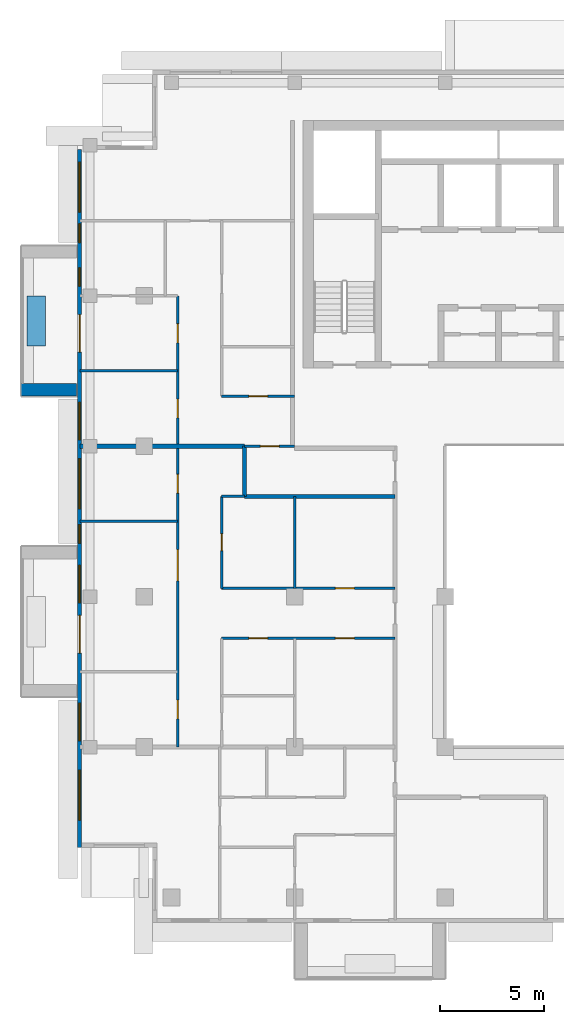
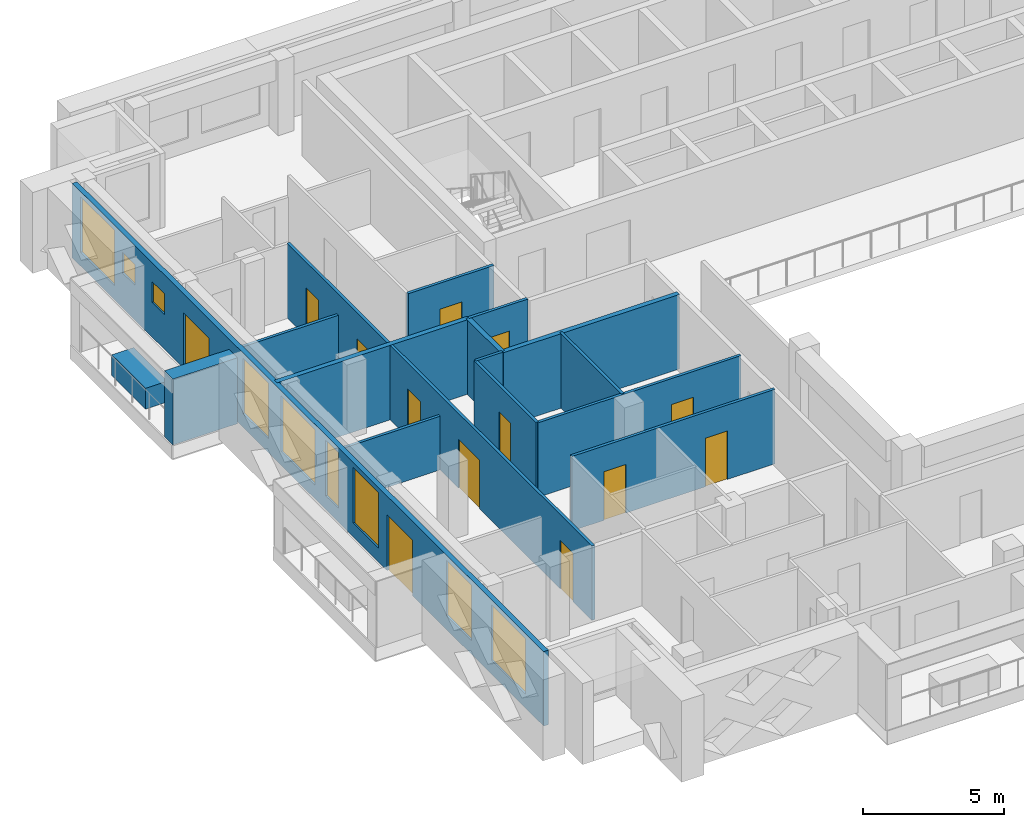
# One storey, part 7 of 19: 16 walls, 13 doors, 9 windows, 22 openings.
"""IFC4 building model written with IfcOpenShell, lengths in metres."""

from ifc_helpers import new_model, si_unit, direction, frame, frame_2d, origin, place, context, subcontext, project, spatial, rectangle, extrude, material, layer, layer_set, type_object, element, fill, save


model = new_model("IFC4")

# Units and contexts
model_context = context("Model", 3, precision=1e-05, world=origin(), true_north=direction((0.0, 1.0)))
body_context = subcontext(model_context, "Body", "Model", "MODEL_VIEW")
ifc_project = project(units=[si_unit("LENGTHUNIT", "METRE"), si_unit("AREAUNIT", "SQUARE_METRE"), si_unit("VOLUMEUNIT", "CUBIC_METRE"), si_unit("PLANEANGLEUNIT", "RADIAN"), si_unit("MASSUNIT", "GRAM", prefix="KILO")], contexts=[model_context])

# Site, building, storey
site_placement = place(None, origin())
site = spatial("IfcSite", under=ifc_project, at=site_placement, CompositionType="ELEMENT")
building_placement = place(site_placement, origin())
building = spatial("IfcBuilding", under=site, at=building_placement, Name="Saffron Iwan Residences", CompositionType="ELEMENT")
storey_placement = place(building_placement, frame((0.0, 0.0, 243.0)))
storey = spatial("IfcBuildingStorey", under=building, at=storey_placement, Name="L65", CompositionType="ELEMENT", Elevation=243.0)

# Walls
ifc_material_1 = material(Name="Concrete C50/60 white painted", Category="concrete")
ifc_layer_1 = layer(ifc_material_1, 0.60009765625)
ifc_layer_set_1 = layer_set([ifc_layer_1], Name="Concrete C50/60 white painted")
wall_type_1 = type_object("IfcWallType", Name="BALCONY FIN 600", PredefinedType="SOLIDWALL", material=ifc_layer_set_1)
wall_1_placement = place(storey_placement, frame((18.35009765625, 65.10009765625, 0.0), z_axis=(0.0, 0.0, 1.0), x_axis=(-1.0, 0.0, 0.0)))
element("IfcWall", 1, at=wall_1_placement, inside=storey, type_object=wall_type_1, Name="Balcony fin L65 F8-0b", PredefinedType="SOLIDWALL", context=body_context, shape_type="SweptSolid", body=[
    extrude(rectangle(XDim=2.650146484375, YDim=0.60009765625, at=frame_2d((1.3251953125, 0.0))), origin(), (0.0, 0.0, 1.0), 2.85009765625),
])
ifc_material_2 = material(Name="Concrete C35/45 white painted", Category="concrete")
ifc_layer_2 = layer(ifc_material_2, 0.14990234375)
ifc_layer_set_2 = layer_set([ifc_layer_2], Name="Concrete C35/45 white painted")
wall_type_2 = type_object("IfcWallType", Name="BALCONY PLANTER", PredefinedType="SOLIDWALL", material=ifc_layer_set_2)
wall_2_placement = place(storey_placement, frame((16.425048828125, 69.60009765625, 0.0), z_axis=(0.0, 0.0, 1.0), x_axis=(0.0, -1.0, 0.0)))
element("IfcWall", 2, at=wall_2_placement, inside=storey, type_object=wall_type_2, Name="PLANTER L65 F8-0", PredefinedType="SOLIDWALL", context=body_context, shape_type="SweptSolid", body=[
    extrude(rectangle(XDim=2.400146484375, YDim=0.89990234375, at=frame_2d((1.2001953125, 0.0))), origin(), (0.0, 0.0, 1.0), 0.89990234375),
])

# Wall, openings, doors, windows
ifc_material_3 = material(Name="Concrete C40/50", Category="concrete")
ifc_layer_3 = layer(ifc_material_3, 0.199951171875)
ifc_layer_set_3 = layer_set([ifc_layer_3], Name="Concrete C40/50")
wall_type_3 = type_object("IfcWallType", Name="EXTERNAL WALL 200", PredefinedType="SOLIDWALL", material=ifc_layer_set_3)
wall_3_placement = place(storey_placement, frame((18.5, 76.60009765625, 0.0), z_axis=(0.0, 0.0, 1.0), x_axis=(0.0, -1.0, 0.0)))
wall_3 = element("IfcWall", 3, at=wall_3_placement, inside=storey, type_object=wall_type_3, Name="External wall L65 F8.0", PredefinedType="SOLIDWALL", context=body_context, shape_type="SweptSolid", body=[
    extrude(rectangle(XDim=33.400146484375, YDim=0.199951171875, at=frame_2d((16.7001953125, 0.0))), origin(), (0.0, 0.0, 1.0), 3.219970703125),
])
opening_1_placement = place(wall_3_placement, frame((7.89990234375, 0.0, 0.0)))
opening_1 = element("IfcOpeningElement", 4, at=opening_1_placement, cuts=wall_3, Name="Opening BD1", PredefinedType="OPENING", context=body_context, shape_type="SweptSolid", body=[
    extrude(rectangle(XDim=1.800048828125, YDim=2.39990234375, at=frame_2d((0.89990234375, 1.199951171875))), frame((0.0, 0.10986328125, 0.0), z_axis=(0.0, -1.0, 0.0), x_axis=(1.0, 0.0, 0.0)), (0.0, 0.0, 1.0), 0.219970703125),
])
opening_2_placement = place(wall_3_placement, frame((22.300048828125, 0.0, 0.0)))
opening_2 = element("IfcOpeningElement", 5, at=opening_2_placement, cuts=wall_3, Name="Opening BD1", PredefinedType="OPENING", context=body_context, shape_type="SweptSolid", body=[
    extrude(rectangle(XDim=1.800048828125, YDim=2.39990234375, at=frame_2d((0.89990234375, 1.199951171875))), frame((0.0, 0.10986328125, 0.0), z_axis=(0.0, -1.0, 0.0), x_axis=(1.0, 0.0, 0.0)), (0.0, 0.0, 1.0), 0.219970703125),
])
opening_3_placement = place(wall_3_placement, frame((29.699951171875, 0.0, 0.60009765625)))
opening_3 = element("IfcOpeningElement", 6, at=opening_3_placement, cuts=wall_3, Name="Opening W1", PredefinedType="OPENING", context=body_context, shape_type="SweptSolid", body=[
    extrude(rectangle(XDim=2.39990234375, YDim=2.39990234375, at=frame_2d((1.199951171875, 1.199951171875))), frame((0.0, 0.10986328125, 0.0), z_axis=(0.0, -1.0, 0.0), x_axis=(1.0, 0.0, 0.0)), (0.0, 0.0, 1.0), 0.219970703125),
])
opening_4_placement = place(wall_3_placement, frame((26.5, 0.0, 0.60009765625)))
opening_4 = element("IfcOpeningElement", 7, at=opening_4_placement, cuts=wall_3, Name="Opening W8", PredefinedType="OPENING", context=body_context, shape_type="SweptSolid", body=[
    extrude(rectangle(XDim=1.800048828125, YDim=2.39990234375, at=frame_2d((0.89990234375, 1.199951171875))), frame((0.0, 0.10986328125, 0.0), z_axis=(0.0, -1.0, 0.0), x_axis=(1.0, 0.0, 0.0)), (0.0, 0.0, 1.0), 0.219970703125),
])
opening_5_placement = place(wall_3_placement, frame((17.949951171875, 0.0, 0.60009765625)))
opening_5 = element("IfcOpeningElement", 8, at=opening_5_placement, cuts=wall_3, Name="Opening W10", PredefinedType="OPENING", context=body_context, shape_type="SweptSolid", body=[
    extrude(rectangle(XDim=0.89990234375, YDim=2.39990234375, at=frame_2d((0.449951171875, 1.199951171875))), frame((0.0, 0.10986328125, 0.0), z_axis=(0.0, -1.0, 0.0), x_axis=(1.0, 0.0, 0.0)), (0.0, 0.0, 1.0), 0.219970703125),
])
opening_6_placement = place(wall_3_placement, frame((19.89990234375, 0.0, 0.60009765625)))
opening_6 = element("IfcOpeningElement", 9, at=opening_6_placement, cuts=wall_3, Name="Opening W8", PredefinedType="OPENING", context=body_context, shape_type="SweptSolid", body=[
    extrude(rectangle(XDim=1.800048828125, YDim=2.39990234375, at=frame_2d((0.89990234375, 1.199951171875))), frame((0.0, 0.10986328125, 0.0), z_axis=(0.0, -1.0, 0.0), x_axis=(1.0, 0.0, 0.0)), (0.0, 0.0, 1.0), 0.219970703125),
])
opening_7_placement = place(wall_3_placement, frame((14.800048828125, 0.0, 0.60009765625)))
opening_7 = element("IfcOpeningElement", 10, at=opening_7_placement, cuts=wall_3, Name="Opening W1", PredefinedType="OPENING", context=body_context, shape_type="SweptSolid", body=[
    extrude(rectangle(XDim=2.39990234375, YDim=2.39990234375, at=frame_2d((1.199951171875, 1.199951171875))), frame((0.0, 0.10986328125, 0.0), z_axis=(0.0, -1.0, 0.0), x_axis=(1.0, 0.0, 0.0)), (0.0, 0.0, 1.0), 0.219970703125),
])
opening_8_placement = place(wall_3_placement, frame((12.10009765625, 0.0, 0.60009765625)))
opening_8 = element("IfcOpeningElement", 11, at=opening_8_placement, cuts=wall_3, Name="Opening W8", PredefinedType="OPENING", context=body_context, shape_type="SweptSolid", body=[
    extrude(rectangle(XDim=1.800048828125, YDim=2.39990234375, at=frame_2d((0.89990234375, 1.199951171875))), frame((0.0, 0.10986328125, 0.0), z_axis=(0.0, -1.0, 0.0), x_axis=(1.0, 0.0, 0.0)), (0.0, 0.0, 1.0), 0.219970703125),
])
opening_9_placement = place(wall_3_placement, frame((3.550048828125, 0.0, 1.5)))
opening_9 = element("IfcOpeningElement", 12, at=opening_9_placement, cuts=wall_3, Name="Opening W6", PredefinedType="OPENING", context=body_context, shape_type="SweptSolid", body=[
    extrude(rectangle(XDim=0.89990234375, YDim=0.89990234375, at=frame_2d((0.449951171875, 0.449951171875))), frame((0.0, 0.10986328125, 0.0), z_axis=(0.0, -1.0, 0.0), x_axis=(1.0, 0.0, 0.0)), (0.0, 0.0, 1.0), 0.219970703125),
])
opening_10_placement = place(wall_3_placement, frame((5.64990234375, 0.0, 1.5)))
opening_10 = element("IfcOpeningElement", 13, at=opening_10_placement, cuts=wall_3, Name="Opening W6", PredefinedType="OPENING", context=body_context, shape_type="SweptSolid", body=[
    extrude(rectangle(XDim=0.89990234375, YDim=0.89990234375, at=frame_2d((0.449951171875, 0.449951171875))), frame((0.0, 0.10986328125, 0.0), z_axis=(0.0, -1.0, 0.0), x_axis=(1.0, 0.0, 0.0)), (0.0, 0.0, 1.0), 0.219970703125),
])
opening_11_placement = place(wall_3_placement, frame((0.60009765625, 0.0, 0.60009765625)))
opening_11 = element("IfcOpeningElement", 14, at=opening_11_placement, cuts=wall_3, Name="Opening W1", PredefinedType="OPENING", context=body_context, shape_type="SweptSolid", body=[
    extrude(rectangle(XDim=2.39990234375, YDim=2.39990234375, at=frame_2d((1.199951171875, 1.199951171875))), frame((0.0, 0.10986328125, 0.0), z_axis=(0.0, -1.0, 0.0), x_axis=(1.0, 0.0, 0.0)), (0.0, 0.0, 1.0), 0.219970703125),
])
ifc_material_4 = material(Name="Clear glass, laminated double glazed", Category="glass")
door_type_1 = type_object("IfcDoorType", Name="BALCONY DOOR 1800 x 2400", OperationType="DOUBLE_DOOR_SLIDING", PredefinedType="DOOR", material=ifc_material_4)
door_1_placement = place(opening_1_placement, origin())
door_1 = element("IfcDoor", 15, at=door_1_placement, inside=storey, type_object=door_type_1, Name="Balcony door L65 F8.0", OperationType="DOUBLE_DOOR_SLIDING", OverallHeight=2.39990234375, OverallWidth=1.800048828125, PredefinedType="DOOR", context=body_context, shape_type="SweptSolid", body=[
    extrude(rectangle(XDim=1.800048828125, YDim=2.39990234375, at=frame_2d((0.89990234375, 1.199951171875))), frame((0.0, 0.02490234375, 0.0), z_axis=(0.0, -1.0, 0.0), x_axis=(1.0, 0.0, 0.0)), (0.0, 0.0, 1.0), 0.050048828125),
])
fill(opening_1, door_1)
door_2_placement = place(opening_2_placement, origin())
door_2 = element("IfcDoor", 16, at=door_2_placement, inside=storey, type_object=door_type_1, Name="Balcony door L65 F8.1", OperationType="DOUBLE_DOOR_SLIDING", OverallHeight=2.39990234375, OverallWidth=1.800048828125, PredefinedType="DOOR", context=body_context, shape_type="SweptSolid", body=[
    extrude(rectangle(XDim=1.800048828125, YDim=2.39990234375, at=frame_2d((0.89990234375, 1.199951171875))), frame((0.0, 0.02490234375, 0.0), z_axis=(0.0, -1.0, 0.0), x_axis=(1.0, 0.0, 0.0)), (0.0, 0.0, 1.0), 0.050048828125),
])
fill(opening_2, door_2)
window_type_1 = type_object("IfcWindowType", Name="WINDOW 1800 x 2400", PartitioningType="DOUBLE_PANEL_VERTICAL", PredefinedType="WINDOW", material=ifc_material_4)
window_1_placement = place(opening_4_placement, origin())
window_1 = element("IfcWindow", 17, at=window_1_placement, inside=storey, type_object=window_type_1, Name="Window L65 F8.3", OverallHeight=2.39990234375, OverallWidth=1.800048828125, PartitioningType="DOUBLE_PANEL_VERTICAL", PredefinedType="WINDOW", context=body_context, shape_type="SweptSolid", body=[
    extrude(rectangle(XDim=1.800048828125, YDim=2.39990234375, at=frame_2d((0.89990234375, 1.199951171875))), frame((0.0, 0.030029296875, 0.0), z_axis=(0.0, -1.0, 0.0), x_axis=(1.0, 0.0, 0.0)), (0.0, 0.0, 1.0), 0.06005859375),
])
fill(opening_4, window_1)
window_2_placement = place(opening_6_placement, origin())
window_2 = element("IfcWindow", 18, at=window_2_placement, inside=storey, type_object=window_type_1, Name="Window L65 F8.5", OverallHeight=2.39990234375, OverallWidth=1.800048828125, PartitioningType="DOUBLE_PANEL_VERTICAL", PredefinedType="WINDOW", context=body_context, shape_type="SweptSolid", body=[
    extrude(rectangle(XDim=1.800048828125, YDim=2.39990234375, at=frame_2d((0.89990234375, 1.199951171875))), frame((0.0, 0.030029296875, 0.0), z_axis=(0.0, -1.0, 0.0), x_axis=(1.0, 0.0, 0.0)), (0.0, 0.0, 1.0), 0.06005859375),
])
fill(opening_6, window_2)
window_3_placement = place(opening_8_placement, origin())
window_3 = element("IfcWindow", 19, at=window_3_placement, inside=storey, type_object=window_type_1, Name="Window L65 F8.7", OverallHeight=2.39990234375, OverallWidth=1.800048828125, PartitioningType="DOUBLE_PANEL_VERTICAL", PredefinedType="WINDOW", context=body_context, shape_type="SweptSolid", body=[
    extrude(rectangle(XDim=1.800048828125, YDim=2.39990234375, at=frame_2d((0.89990234375, 1.199951171875))), frame((0.0, 0.030029296875, 0.0), z_axis=(0.0, -1.0, 0.0), x_axis=(1.0, 0.0, 0.0)), (0.0, 0.0, 1.0), 0.06005859375),
])
fill(opening_8, window_3)
window_type_2 = type_object("IfcWindowType", Name="WINDOW 2400 x 2400", PartitioningType="DOUBLE_PANEL_VERTICAL", PredefinedType="WINDOW", material=ifc_material_4)
window_4_placement = place(opening_3_placement, origin())
window_4 = element("IfcWindow", 20, at=window_4_placement, inside=storey, type_object=window_type_2, Name="Window L65 F8.2", OverallHeight=2.39990234375, OverallWidth=2.39990234375, PartitioningType="DOUBLE_PANEL_VERTICAL", PredefinedType="WINDOW", context=body_context, shape_type="SweptSolid", body=[
    extrude(rectangle(XDim=2.39990234375, YDim=2.39990234375, at=frame_2d((1.199951171875, 1.199951171875))), frame((0.0, 0.030029296875, 0.0), z_axis=(0.0, -1.0, 0.0), x_axis=(1.0, 0.0, 0.0)), (0.0, 0.0, 1.0), 0.06005859375),
])
fill(opening_3, window_4)
window_5_placement = place(opening_7_placement, origin())
window_5 = element("IfcWindow", 21, at=window_5_placement, inside=storey, type_object=window_type_2, Name="Window L65 F8.6", OverallHeight=2.39990234375, OverallWidth=2.39990234375, PartitioningType="DOUBLE_PANEL_VERTICAL", PredefinedType="WINDOW", context=body_context, shape_type="SweptSolid", body=[
    extrude(rectangle(XDim=2.39990234375, YDim=2.39990234375, at=frame_2d((1.199951171875, 1.199951171875))), frame((0.0, 0.030029296875, 0.0), z_axis=(0.0, -1.0, 0.0), x_axis=(1.0, 0.0, 0.0)), (0.0, 0.0, 1.0), 0.06005859375),
])
fill(opening_7, window_5)
window_6_placement = place(opening_11_placement, origin())
window_6 = element("IfcWindow", 22, at=window_6_placement, inside=storey, type_object=window_type_2, Name="Window L65 F8.10", OverallHeight=2.39990234375, OverallWidth=2.39990234375, PartitioningType="DOUBLE_PANEL_VERTICAL", PredefinedType="WINDOW", context=body_context, shape_type="SweptSolid", body=[
    extrude(rectangle(XDim=2.39990234375, YDim=2.39990234375, at=frame_2d((1.199951171875, 1.199951171875))), frame((0.0, 0.030029296875, 0.0), z_axis=(0.0, -1.0, 0.0), x_axis=(1.0, 0.0, 0.0)), (0.0, 0.0, 1.0), 0.06005859375),
])
fill(opening_11, window_6)
window_type_3 = type_object("IfcWindowType", Name="WINDOW 900 x 2400", PartitioningType="SINGLE_PANEL", PredefinedType="WINDOW", material=ifc_material_4)
window_7_placement = place(opening_5_placement, origin())
window_7 = element("IfcWindow", 23, at=window_7_placement, inside=storey, type_object=window_type_3, Name="Window L65 F8.4", OverallHeight=2.39990234375, OverallWidth=0.89990234375, PartitioningType="SINGLE_PANEL", PredefinedType="WINDOW", context=body_context, shape_type="SweptSolid", body=[
    extrude(rectangle(XDim=0.89990234375, YDim=2.39990234375, at=frame_2d((0.449951171875, 1.199951171875))), frame((0.0, 0.030029296875, 0.0), z_axis=(0.0, -1.0, 0.0), x_axis=(1.0, 0.0, 0.0)), (0.0, 0.0, 1.0), 0.06005859375),
])
fill(opening_5, window_7)
window_type_4 = type_object("IfcWindowType", Name="WINDOW 900 x 900 BATH", PartitioningType="SINGLE_PANEL", PredefinedType="WINDOW", material=ifc_material_4)
window_8_placement = place(opening_9_placement, origin())
window_8 = element("IfcWindow", 24, at=window_8_placement, inside=storey, type_object=window_type_4, Name="Window L65 F8.8", OverallHeight=0.89990234375, OverallWidth=0.89990234375, PartitioningType="SINGLE_PANEL", PredefinedType="WINDOW", context=body_context, shape_type="SweptSolid", body=[
    extrude(rectangle(XDim=0.89990234375, YDim=0.89990234375, at=frame_2d((0.449951171875, 0.449951171875))), frame((0.0, 0.030029296875, 0.0), z_axis=(0.0, -1.0, 0.0), x_axis=(1.0, 0.0, 0.0)), (0.0, 0.0, 1.0), 0.06005859375),
])
fill(opening_9, window_8)
window_9_placement = place(opening_10_placement, origin())
window_9 = element("IfcWindow", 25, at=window_9_placement, inside=storey, type_object=window_type_4, Name="Window L65 F8.9", OverallHeight=0.89990234375, OverallWidth=0.89990234375, PartitioningType="SINGLE_PANEL", PredefinedType="WINDOW", context=body_context, shape_type="SweptSolid", body=[
    extrude(rectangle(XDim=0.89990234375, YDim=0.89990234375, at=frame_2d((0.449951171875, 0.449951171875))), frame((0.0, 0.030029296875, 0.0), z_axis=(0.0, -1.0, 0.0), x_axis=(1.0, 0.0, 0.0)), (0.0, 0.0, 1.0), 0.06005859375),
])
fill(opening_10, window_9)

# Walls
ifc_material_5 = material(Name="Fire-rated gypsum board wall")
ifc_layer_4 = layer(ifc_material_5, 0.199951171875)
ifc_layer_set_4 = layer_set([ifc_layer_4], Name="Fire-rated gypsum board wall")
wall_type_4 = type_object("IfcWallType", Name="Flat demising wall 200", PredefinedType="SOLIDWALL", material=ifc_layer_set_4)
wall_4_placement = place(storey_placement, frame((26.39990234375, 60.0, 0.0), z_axis=(0.0, 0.0, 1.0), x_axis=(1.0, 0.0, 0.0)))
element("IfcWall", 26, at=wall_4_placement, inside=storey, type_object=wall_type_4, Name="W-L65-DEMISE-h60-26.4", PredefinedType="SOLIDWALL", context=body_context, shape_type="SweptSolid", body=[
    extrude(rectangle(XDim=7.2001953125, YDim=0.199951171875, at=frame_2d((3.60009765625, 0.0))), origin(), (0.0, 0.0, 1.0), 3.219970703125),
])
wall_5_placement = place(storey_placement, frame((18.52490234375, 62.39990234375, 0.0), z_axis=(0.0, 0.0, 1.0), x_axis=(1.0, 0.0, 0.0)))
element("IfcWall", 27, at=wall_5_placement, inside=storey, type_object=wall_type_4, Name="W-L65-DEMISE-h62.4-18.525", PredefinedType="SOLIDWALL", context=body_context, shape_type="SweptSolid", body=[
    extrude(rectangle(XDim=7.875, YDim=0.199951171875, at=frame_2d((3.9375, 0.0))), origin(), (0.0, 0.0, 1.0), 3.219970703125),
])
wall_6_placement = place(storey_placement, frame((26.39990234375, 60.0, 0.0), z_axis=(0.0, 0.0, 1.0), x_axis=(0.0, 1.0, 0.0)))
element("IfcWall", 28, at=wall_6_placement, inside=storey, type_object=wall_type_4, Name="W-L65-DEMISE-v26.4-60", PredefinedType="SOLIDWALL", context=body_context, shape_type="SweptSolid", body=[
    extrude(rectangle(XDim=2.39990234375, YDim=0.199951171875, at=frame_2d((1.199951171875, 0.0))), origin(), (0.0, 0.0, 1.0), 3.219970703125),
])

# Wall, openings, doors
ifc_material_6 = material(Name="Gypsum board partition")
ifc_layer_5 = layer(ifc_material_6, 0.1201171875)
ifc_layer_set_5 = layer_set([ifc_layer_5], Name="Gypsum board partition")
wall_type_5 = type_object("IfcWallType", Name="Flat partition 120", PredefinedType="PARTITIONING", material=ifc_layer_set_5)
wall_7_placement = place(storey_placement, frame((25.300048828125, 53.199951171875, 0.0), z_axis=(0.0, 0.0, 1.0), x_axis=(1.0, 0.0, 0.0)))
wall_7 = element("IfcWall", 29, at=wall_7_placement, inside=storey, type_object=wall_type_5, Name="W-L65-PART-h53.2-25.3", PredefinedType="PARTITIONING", context=body_context, shape_type="SweptSolid", body=[
    extrude(rectangle(XDim=8.300048828125, YDim=0.1201171875, at=frame_2d((4.14990234375, 0.0))), origin(), (0.0, 0.0, 1.0), 3.219970703125),
])
opening_12_placement = place(wall_7_placement, frame((1.300048828125, 0.0, 0.0)))
opening_12 = element("IfcOpeningElement", 30, at=opening_12_placement, cuts=wall_7, Name="Opening FD2", PredefinedType="OPENING", context=body_context, shape_type="SweptSolid", body=[
    extrude(rectangle(XDim=0.89990234375, YDim=2.10009765625, at=frame_2d((0.449951171875, 1.050048828125))), frame((0.0, 0.070068359375, 0.0), z_axis=(0.0, -1.0, 0.0), x_axis=(1.0, 0.0, 0.0)), (0.0, 0.0, 1.0), 0.14013671875),
])
opening_13_placement = place(wall_7_placement, frame((5.449951171875, 0.0, 0.0)))
opening_13 = element("IfcOpeningElement", 31, at=opening_13_placement, cuts=wall_7, Name="Opening FD2", PredefinedType="OPENING", context=body_context, shape_type="SweptSolid", body=[
    extrude(rectangle(XDim=0.89990234375, YDim=2.10009765625, at=frame_2d((0.449951171875, 1.050048828125))), frame((0.0, 0.070068359375, 0.0), z_axis=(0.0, -1.0, 0.0), x_axis=(1.0, 0.0, 0.0)), (0.0, 0.0, 1.0), 0.14013671875),
])
ifc_material_7 = material(Name="Timber door", Category="wood")
door_type_2 = type_object("IfcDoorType", Name="Flat door 900", OperationType="NOTDEFINED", PredefinedType="DOOR", material=ifc_material_7)
door_3_placement = place(opening_12_placement, origin())
door_3 = element("IfcDoor", 32, at=door_3_placement, inside=storey, type_object=door_type_2, Name="Door L65-013", OperationType="SINGLE_SWING_LEFT", OverallHeight=2.10009765625, OverallWidth=0.89990234375, PredefinedType="DOOR", context=body_context, shape_type="SweptSolid", body=[
    extrude(rectangle(XDim=0.89990234375, YDim=2.10009765625, at=frame_2d((0.449951171875, 1.050048828125))), frame((0.0, 0.02490234375, 0.0), z_axis=(0.0, -1.0, 0.0), x_axis=(1.0, 0.0, 0.0)), (0.0, 0.0, 1.0), 0.050048828125),
])
fill(opening_12, door_3)
door_4_placement = place(opening_13_placement, origin())
door_4 = element("IfcDoor", 33, at=door_4_placement, inside=storey, type_object=door_type_2, Name="Door L65-015", OperationType="SINGLE_SWING_LEFT", OverallHeight=2.10009765625, OverallWidth=0.89990234375, PredefinedType="DOOR", context=body_context, shape_type="SweptSolid", body=[
    extrude(rectangle(XDim=0.89990234375, YDim=2.10009765625, at=frame_2d((0.449951171875, 1.050048828125))), frame((0.0, 0.02490234375, 0.0), z_axis=(0.0, -1.0, 0.0), x_axis=(1.0, 0.0, 0.0)), (0.0, 0.0, 1.0), 0.050048828125),
])
fill(opening_13, door_4)

# Wall, opening, door
wall_8_placement = place(storey_placement, frame((25.300048828125, 55.60009765625, 0.0), z_axis=(0.0, 0.0, 1.0), x_axis=(1.0, 0.0, 0.0)))
wall_8 = element("IfcWall", 34, at=wall_8_placement, inside=storey, type_object=wall_type_5, Name="W-L65-PART-h55.6-25.3", PredefinedType="PARTITIONING", context=body_context, shape_type="SweptSolid", body=[
    extrude(rectangle(XDim=8.300048828125, YDim=0.1201171875, at=frame_2d((4.14990234375, 0.0))), origin(), (0.0, 0.0, 1.0), 3.219970703125),
])
opening_14_placement = place(wall_8_placement, frame((5.449951171875, 0.0, 0.0)))
opening_14 = element("IfcOpeningElement", 35, at=opening_14_placement, cuts=wall_8, Name="Opening FD2", PredefinedType="OPENING", context=body_context, shape_type="SweptSolid", body=[
    extrude(rectangle(XDim=0.89990234375, YDim=2.10009765625, at=frame_2d((0.449951171875, 1.050048828125))), frame((0.0, 0.070068359375, 0.0), z_axis=(0.0, -1.0, 0.0), x_axis=(1.0, 0.0, 0.0)), (0.0, 0.0, 1.0), 0.14013671875),
])
door_5_placement = place(opening_14_placement, origin())
door_5 = element("IfcDoor", 36, at=door_5_placement, inside=storey, type_object=door_type_2, Name="Door L65-016", OperationType="SINGLE_SWING_LEFT", OverallHeight=2.10009765625, OverallWidth=0.89990234375, PredefinedType="DOOR", context=body_context, shape_type="SweptSolid", body=[
    extrude(rectangle(XDim=0.89990234375, YDim=2.10009765625, at=frame_2d((0.449951171875, 1.050048828125))), frame((0.0, 0.02490234375, 0.0), z_axis=(0.0, -1.0, 0.0), x_axis=(1.0, 0.0, 0.0)), (0.0, 0.0, 1.0), 0.050048828125),
])
fill(opening_14, door_5)

# Walls
wall_9_placement = place(storey_placement, frame((18.52490234375, 58.800048828125, 0.0), z_axis=(0.0, 0.0, 1.0), x_axis=(1.0, 0.0, 0.0)))
element("IfcWall", 37, at=wall_9_placement, inside=storey, type_object=wall_type_5, Name="W-L65-PART-h58.8-18.525", PredefinedType="PARTITIONING", context=body_context, shape_type="SweptSolid", body=[
    extrude(rectangle(XDim=4.675048828125, YDim=0.1201171875, at=frame_2d((2.33740234375, 0.0))), origin(), (0.0, 0.0, 1.0), 2.320068359375),
])
wall_10_placement = place(storey_placement, frame((25.300048828125, 60.0, 0.0), z_axis=(0.0, 0.0, 1.0), x_axis=(1.0, 0.0, 0.0)))
element("IfcWall", 38, at=wall_10_placement, inside=storey, type_object=wall_type_5, Name="W-L65-PART-h60-25.3", PredefinedType="PARTITIONING", context=body_context, shape_type="SweptSolid", body=[
    extrude(rectangle(XDim=1.099853515625, YDim=0.1201171875, at=frame_2d((0.5498046875, 0.0))), origin(), (0.0, 0.0, 1.0), 3.219970703125),
])

# Wall, opening, door
wall_11_placement = place(storey_placement, frame((26.39990234375, 62.39990234375, 0.0), z_axis=(0.0, 0.0, 1.0), x_axis=(1.0, 0.0, 0.0)))
wall_11 = element("IfcWall", 39, at=wall_11_placement, inside=storey, type_object=wall_type_5, Name="W-L65-PART-h62.4-26.4", PredefinedType="PARTITIONING", context=body_context, shape_type="SweptSolid", body=[
    extrude(rectangle(XDim=2.400146484375, YDim=0.1201171875, at=frame_2d((1.2001953125, 0.0))), origin(), (0.0, 0.0, 1.0), 3.219970703125),
])
opening_15_placement = place(wall_11_placement, frame((0.75, 0.0, 0.0)))
opening_15 = element("IfcOpeningElement", 40, at=opening_15_placement, cuts=wall_11, Name="Opening FD2", PredefinedType="OPENING", context=body_context, shape_type="SweptSolid", body=[
    extrude(rectangle(XDim=0.89990234375, YDim=2.10009765625, at=frame_2d((0.449951171875, 1.050048828125))), frame((0.0, 0.070068359375, 0.0), z_axis=(0.0, -1.0, 0.0), x_axis=(1.0, 0.0, 0.0)), (0.0, 0.0, 1.0), 0.14013671875),
])
door_6_placement = place(opening_15_placement, origin())
door_6 = element("IfcDoor", 41, at=door_6_placement, inside=storey, type_object=door_type_2, Name="Door L65-023", OperationType="SINGLE_SWING_RIGHT", OverallHeight=2.10009765625, OverallWidth=0.89990234375, PredefinedType="DOOR", context=body_context, shape_type="SweptSolid", body=[
    extrude(rectangle(XDim=0.89990234375, YDim=2.10009765625, at=frame_2d((0.449951171875, 1.050048828125))), frame((0.0, 0.02490234375, 0.0), z_axis=(0.0, -1.0, 0.0), x_axis=(1.0, 0.0, 0.0)), (0.0, 0.0, 1.0), 0.050048828125),
])
fill(opening_15, door_6)

wall_12_placement = place(storey_placement, frame((25.300048828125, 64.800048828125, 0.0), z_axis=(0.0, 0.0, 1.0), x_axis=(1.0, 0.0, 0.0)))
wall_12 = element("IfcWall", 42, at=wall_12_placement, inside=storey, type_object=wall_type_5, Name="W-L65-PART-h64.8-25.3", PredefinedType="PARTITIONING", context=body_context, shape_type="SweptSolid", body=[
    extrude(rectangle(XDim=3.5, YDim=0.1201171875, at=frame_2d((1.75, 0.0))), origin(), (0.0, 0.0, 1.0), 3.219970703125),
])
opening_16_placement = place(wall_12_placement, frame((1.300048828125, 0.0, 0.0)))
opening_16 = element("IfcOpeningElement", 43, at=opening_16_placement, cuts=wall_12, Name="Opening FD2", PredefinedType="OPENING", context=body_context, shape_type="SweptSolid", body=[
    extrude(rectangle(XDim=0.89990234375, YDim=2.10009765625, at=frame_2d((0.449951171875, 1.050048828125))), frame((0.0, 0.070068359375, 0.0), z_axis=(0.0, -1.0, 0.0), x_axis=(1.0, 0.0, 0.0)), (0.0, 0.0, 1.0), 0.14013671875),
])
door_7_placement = place(opening_16_placement, origin())
door_7 = element("IfcDoor", 44, at=door_7_placement, inside=storey, type_object=door_type_2, Name="Door L65-029", OperationType="SINGLE_SWING_RIGHT", OverallHeight=2.10009765625, OverallWidth=0.89990234375, PredefinedType="DOOR", context=body_context, shape_type="SweptSolid", body=[
    extrude(rectangle(XDim=0.89990234375, YDim=2.10009765625, at=frame_2d((0.449951171875, 1.050048828125))), frame((0.0, 0.02490234375, 0.0), z_axis=(0.0, -1.0, 0.0), x_axis=(1.0, 0.0, 0.0)), (0.0, 0.0, 1.0), 0.050048828125),
])
fill(opening_16, door_7)

# Wall
wall_13_placement = place(storey_placement, frame((18.52490234375, 66.0, 0.0), z_axis=(0.0, 0.0, 1.0), x_axis=(1.0, 0.0, 0.0)))
element("IfcWall", 45, at=wall_13_placement, inside=storey, type_object=wall_type_5, Name="W-L65-PART-h66-18.525", PredefinedType="PARTITIONING", context=body_context, shape_type="SweptSolid", body=[
    extrude(rectangle(XDim=4.675048828125, YDim=0.1201171875, at=frame_2d((2.33740234375, 0.0))), origin(), (0.0, 0.0, 1.0), 2.320068359375),
])

# Wall, openings, doors
wall_14_placement = place(storey_placement, frame((23.199951171875, 48.0, 0.0), z_axis=(0.0, 0.0, 1.0), x_axis=(0.0, 1.0, 0.0)))
wall_14 = element("IfcWall", 46, at=wall_14_placement, inside=storey, type_object=wall_type_5, Name="W-L65-PART-v23.2-48", PredefinedType="PARTITIONING", context=body_context, shape_type="SweptSolid", body=[
    extrude(rectangle(XDim=21.60009765625, YDim=0.1201171875, at=frame_2d((10.800048828125, 0.0))), origin(), (0.0, 0.0, 1.0), 3.219970703125),
])
opening_17_placement = place(wall_14_placement, frame((1.35009765625, 0.0, 0.0)))
opening_17 = element("IfcOpeningElement", 47, at=opening_17_placement, cuts=wall_14, Name="Opening FD2", PredefinedType="OPENING", context=body_context, shape_type="SweptSolid", body=[
    extrude(rectangle(XDim=0.89990234375, YDim=2.10009765625, at=frame_2d((0.449951171875, 1.050048828125))), frame((0.0, 0.070068359375, 0.0), z_axis=(0.0, -1.0, 0.0), x_axis=(1.0, 0.0, 0.0)), (0.0, 0.0, 1.0), 0.14013671875),
])
opening_18_placement = place(wall_14_placement, frame((7.949951171875, 0.0, 0.0)))
opening_18 = element("IfcOpeningElement", 48, at=opening_18_placement, cuts=wall_14, Name="Opening FD4", PredefinedType="OPENING", context=body_context, shape_type="SweptSolid", body=[
    extrude(rectangle(XDim=1.5, YDim=2.10009765625, at=frame_2d((0.75, 1.050048828125))), frame((0.0, 0.070068359375, 0.0), z_axis=(0.0, -1.0, 0.0), x_axis=(1.0, 0.0, 0.0)), (0.0, 0.0, 1.0), 0.14013671875),
])
opening_19_placement = place(wall_14_placement, frame((12.14990234375, 0.0, 0.0)))
opening_19 = element("IfcOpeningElement", 49, at=opening_19_placement, cuts=wall_14, Name="Opening FD2", PredefinedType="OPENING", context=body_context, shape_type="SweptSolid", body=[
    extrude(rectangle(XDim=0.89990234375, YDim=2.10009765625, at=frame_2d((0.449951171875, 1.050048828125))), frame((0.0, 0.070068359375, 0.0), z_axis=(0.0, -1.0, 0.0), x_axis=(1.0, 0.0, 0.0)), (0.0, 0.0, 1.0), 0.14013671875),
])
opening_20_placement = place(wall_14_placement, frame((15.75, 0.0, 0.0)))
opening_20 = element("IfcOpeningElement", 50, at=opening_20_placement, cuts=wall_14, Name="Opening FD2", PredefinedType="OPENING", context=body_context, shape_type="SweptSolid", body=[
    extrude(rectangle(XDim=0.89990234375, YDim=2.10009765625, at=frame_2d((0.449951171875, 1.050048828125))), frame((0.0, 0.070068359375, 0.0), z_axis=(0.0, -1.0, 0.0), x_axis=(1.0, 0.0, 0.0)), (0.0, 0.0, 1.0), 0.14013671875),
])
opening_21_placement = place(wall_14_placement, frame((19.35009765625, 0.0, 0.0)))
opening_21 = element("IfcOpeningElement", 51, at=opening_21_placement, cuts=wall_14, Name="Opening FD2", PredefinedType="OPENING", context=body_context, shape_type="SweptSolid", body=[
    extrude(rectangle(XDim=0.89990234375, YDim=2.10009765625, at=frame_2d((0.449951171875, 1.050048828125))), frame((0.0, 0.070068359375, 0.0), z_axis=(0.0, -1.0, 0.0), x_axis=(1.0, 0.0, 0.0)), (0.0, 0.0, 1.0), 0.14013671875),
])
door_type_3 = type_object("IfcDoorType", Name="Double door 1500", OperationType="NOTDEFINED", PredefinedType="DOOR", material=ifc_material_7)
door_8_placement = place(opening_18_placement, origin())
door_8 = element("IfcDoor", 52, at=door_8_placement, inside=storey, type_object=door_type_3, Name="Door L65-010", OperationType="SINGLE_SWING_RIGHT", OverallHeight=2.10009765625, OverallWidth=1.5, PredefinedType="DOOR", context=body_context, shape_type="SweptSolid", body=[
    extrude(rectangle(XDim=1.5, YDim=2.10009765625, at=frame_2d((0.75, 1.050048828125))), frame((0.0, 0.02490234375, 0.0), z_axis=(0.0, -1.0, 0.0), x_axis=(1.0, 0.0, 0.0)), (0.0, 0.0, 1.0), 0.050048828125),
])
fill(opening_18, door_8)
door_9_placement = place(opening_17_placement, origin())
door_9 = element("IfcDoor", 53, at=door_9_placement, inside=storey, type_object=door_type_2, Name="Door L65-009", OperationType="SINGLE_SWING_LEFT", OverallHeight=2.10009765625, OverallWidth=0.89990234375, PredefinedType="DOOR", context=body_context, shape_type="SweptSolid", body=[
    extrude(rectangle(XDim=0.89990234375, YDim=2.10009765625, at=frame_2d((0.449951171875, 1.050048828125))), frame((0.0, 0.02490234375, 0.0), z_axis=(0.0, -1.0, 0.0), x_axis=(1.0, 0.0, 0.0)), (0.0, 0.0, 1.0), 0.050048828125),
])
fill(opening_17, door_9)
door_10_placement = place(opening_19_placement, origin())
door_10 = element("IfcDoor", 54, at=door_10_placement, inside=storey, type_object=door_type_2, Name="Door L65-011", OperationType="SINGLE_SWING_RIGHT", OverallHeight=2.10009765625, OverallWidth=0.89990234375, PredefinedType="DOOR", context=body_context, shape_type="SweptSolid", body=[
    extrude(rectangle(XDim=0.89990234375, YDim=2.10009765625, at=frame_2d((0.449951171875, 1.050048828125))), frame((0.0, 0.02490234375, 0.0), z_axis=(0.0, -1.0, 0.0), x_axis=(1.0, 0.0, 0.0)), (0.0, 0.0, 1.0), 0.050048828125),
])
fill(opening_19, door_10)
door_11_placement = place(opening_20_placement, origin())
door_11 = element("IfcDoor", 55, at=door_11_placement, inside=storey, type_object=door_type_2, Name="Door L65-025", OperationType="SINGLE_SWING_LEFT", OverallHeight=2.10009765625, OverallWidth=0.89990234375, PredefinedType="DOOR", context=body_context, shape_type="SweptSolid", body=[
    extrude(rectangle(XDim=0.89990234375, YDim=2.10009765625, at=frame_2d((0.449951171875, 1.050048828125))), frame((0.0, 0.02490234375, 0.0), z_axis=(0.0, -1.0, 0.0), x_axis=(1.0, 0.0, 0.0)), (0.0, 0.0, 1.0), 0.050048828125),
])
fill(opening_20, door_11)
door_12_placement = place(opening_21_placement, origin())
door_12 = element("IfcDoor", 56, at=door_12_placement, inside=storey, type_object=door_type_2, Name="Door L65-026", OperationType="SINGLE_SWING_RIGHT", OverallHeight=2.10009765625, OverallWidth=0.89990234375, PredefinedType="DOOR", context=body_context, shape_type="SweptSolid", body=[
    extrude(rectangle(XDim=0.89990234375, YDim=2.10009765625, at=frame_2d((0.449951171875, 1.050048828125))), frame((0.0, 0.02490234375, 0.0), z_axis=(0.0, -1.0, 0.0), x_axis=(1.0, 0.0, 0.0)), (0.0, 0.0, 1.0), 0.050048828125),
])
fill(opening_21, door_12)

# Wall, opening, door
wall_15_placement = place(storey_placement, frame((25.300048828125, 55.60009765625, 0.0), z_axis=(0.0, 0.0, 1.0), x_axis=(0.0, 1.0, 0.0)))
wall_15 = element("IfcWall", 57, at=wall_15_placement, inside=storey, type_object=wall_type_5, Name="W-L65-PART-v25.3-55.6", PredefinedType="PARTITIONING", context=body_context, shape_type="SweptSolid", body=[
    extrude(rectangle(XDim=4.39990234375, YDim=0.1201171875, at=frame_2d((2.199951171875, 0.0))), origin(), (0.0, 0.0, 1.0), 3.219970703125),
])
opening_22_placement = place(wall_15_placement, frame((1.800048828125, 0.0, 0.0)))
opening_22 = element("IfcOpeningElement", 58, at=opening_22_placement, cuts=wall_15, Name="Opening FD3", PredefinedType="OPENING", context=body_context, shape_type="SweptSolid", body=[
    extrude(rectangle(XDim=0.800048828125, YDim=2.10009765625, at=frame_2d((0.39990234375, 1.050048828125))), frame((0.0, 0.070068359375, 0.0), z_axis=(0.0, -1.0, 0.0), x_axis=(1.0, 0.0, 0.0)), (0.0, 0.0, 1.0), 0.14013671875),
])
door_type_4 = type_object("IfcDoorType", Name="Bathroom door 800", OperationType="NOTDEFINED", PredefinedType="DOOR", material=ifc_material_7)
door_13_placement = place(opening_22_placement, origin())
door_13 = element("IfcDoor", 59, at=door_13_placement, inside=storey, type_object=door_type_4, Name="Door L65-014", OperationType="SINGLE_SWING_RIGHT", OverallHeight=2.10009765625, OverallWidth=0.800048828125, PredefinedType="DOOR", context=body_context, shape_type="SweptSolid", body=[
    extrude(rectangle(XDim=0.800048828125, YDim=2.10009765625, at=frame_2d((0.39990234375, 1.050048828125))), frame((0.0, 0.02490234375, 0.0), z_axis=(0.0, -1.0, 0.0), x_axis=(1.0, 0.0, 0.0)), (0.0, 0.0, 1.0), 0.050048828125),
])
fill(opening_22, door_13)

# Wall
wall_16_placement = place(storey_placement, frame((28.800048828125, 55.60009765625, 0.0), z_axis=(0.0, 0.0, 1.0), x_axis=(0.0, 1.0, 0.0)))
element("IfcWall", 60, at=wall_16_placement, inside=storey, type_object=wall_type_5, Name="W-L65-PART-v28.8-55.6", PredefinedType="PARTITIONING", context=body_context, shape_type="SweptSolid", body=[
    extrude(rectangle(XDim=4.39990234375, YDim=0.1201171875, at=frame_2d((2.199951171875, 0.0))), origin(), (0.0, 0.0, 1.0), 3.219970703125),
])

save(model, "model.ifc")
